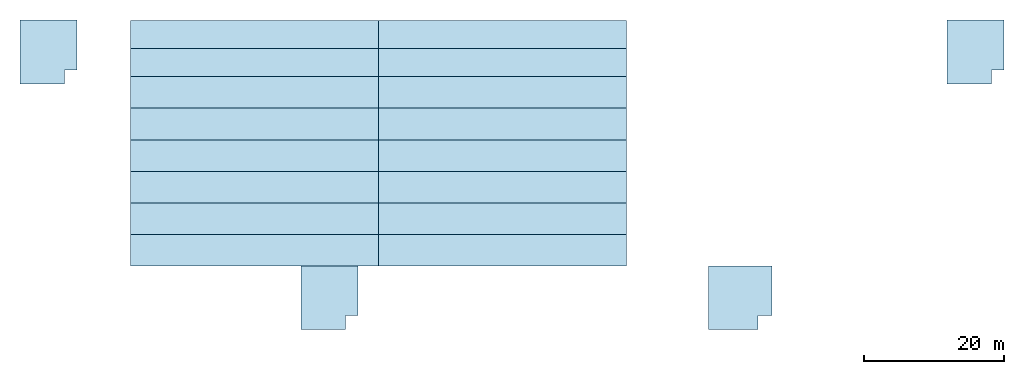
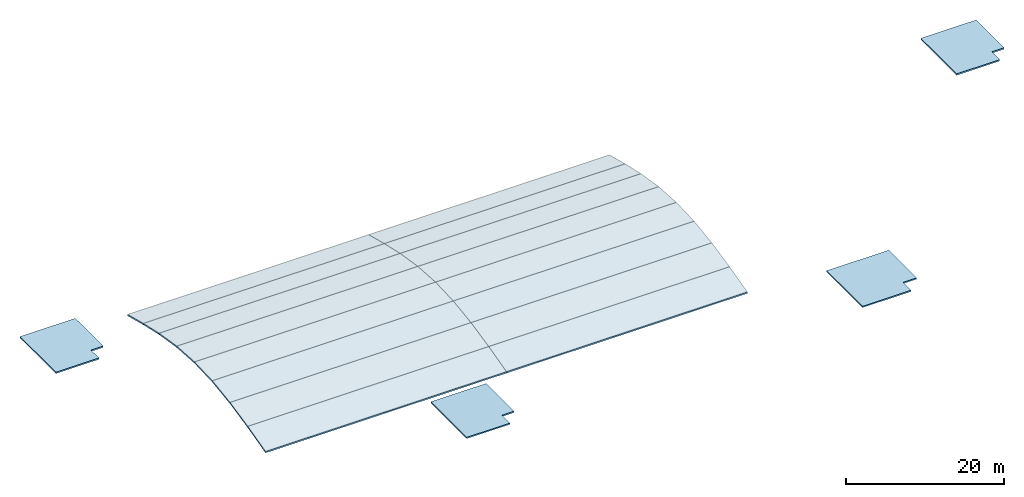
# One storey, part 1 of 2: 18 roofs, 2 slabs.
"""IFC4 building model written with IfcOpenShell, lengths in metres."""

from ifc_helpers import new_model, si_unit, derived_unit, direction, frame, origin, place, context, subcontext, project, spatial, polyline, outline, extrude, polygons, material, layer, layer_set, type_object, element, save


model = new_model("IFC4")

# Units and contexts
model_context = context("Model", 3, precision=1e-05, world=origin(), true_north=direction((0.0, 1.0)))
body_context = subcontext(model_context, "Body", "Model", "MODEL_VIEW")
ifc_project = project(units=[si_unit("LENGTHUNIT", "METRE"), si_unit("AREAUNIT", "SQUARE_METRE"), si_unit("VOLUMEUNIT", "CUBIC_METRE"), si_unit("PLANEANGLEUNIT", "RADIAN"), si_unit("MASSUNIT", "GRAM", prefix="KILO"), si_unit("THERMODYNAMICTEMPERATUREUNIT", "KELVIN"), derived_unit("THERMALTRANSMITTANCEUNIT", [(si_unit("POWERUNIT", "WATT"), 1), (si_unit("AREAUNIT", "SQUARE_METRE"), -1), (si_unit("THERMODYNAMICTEMPERATUREUNIT", "KELVIN"), -1)])], contexts=[model_context])

# Site, building, storey
site_placement = place(None, origin())
site = spatial("IfcSite", under=ifc_project, at=site_placement, CompositionType="ELEMENT")
building_placement = place(site_placement, origin())
building = spatial("IfcBuilding", under=site, at=building_placement, Name="Haiyu Intermodal Mobility Hub", CompositionType="ELEMENT")
storey_placement = place(building_placement, frame((0.0, 0.0, 30.5)))
storey = spatial("IfcBuildingStorey", under=building, at=storey_placement, Name="RF", CompositionType="ELEMENT", Elevation=30.5)

# Slabs
ifc_material_1 = material(Name="Concrete C40", Category="concrete")
ifc_layer_1 = layer(ifc_material_1, 0.179931640625)
ifc_layer_set_1 = layer_set([ifc_layer_1], Name="Concrete C40")
slab_type = type_object("IfcSlabType", Name="SLB-SL12", PredefinedType="ROOF", material=ifc_layer_set_1)
slab_1_placement = place(storey_placement, frame((0.0, 0.0, -0.219970703125)))
element("IfcSlab", 1, at=slab_1_placement, inside=storey, type_object=slab_type, Name="Core C3 Skylight Headhouse Cap", PredefinedType="ROOF", context=body_context, shape_type="SweptSolid", body=[
    extrude(outline(polyline([(21.949951171875, 138.949951171875), (28.26806640625, 138.949951171875), (28.26806640625, 140.951904296875), (30.050048828125, 140.951904296875), (30.050048828125, 148.050048828125), (21.949951171875, 148.050048828125), (21.949951171875, 138.949951171875)])), origin(), (0.0, 0.0, 1.0), 0.219970703125),
])
slab_2_placement = place(storey_placement, frame((0.0, 0.0, -0.219970703125)))
element("IfcSlab", 2, at=slab_2_placement, inside=storey, type_object=slab_type, Name="Core C4 Skylight Headhouse Cap", PredefinedType="ROOF", context=body_context, shape_type="SweptSolid", body=[
    extrude(outline(polyline([(153.949951171875, 138.949951171875), (160.26806640625, 138.949951171875), (160.26806640625, 140.951904296875), (162.050048828125, 140.951904296875), (162.050048828125, 148.050048828125), (153.949951171875, 148.050048828125), (153.949951171875, 138.949951171875)])), origin(), (0.0, 0.0, 1.0), 0.219970703125),
])

# Roofs
ifc_material_2 = material(Name="Steel Q355C", Category="steel")
ifc_layer_2 = layer(ifc_material_2, 0.239990234375)
ifc_layer_set_2 = layer_set([ifc_layer_2], Name="Steel Q355C")
roof_type_1 = type_object("IfcRoofType", Name="ROF-RF02", PredefinedType="PAVILION_ROOF", material=ifc_layer_set_2)
roof_1_placement = place(storey_placement, frame((0.0, 0.0, -3.080078125)))
element("IfcRoof", 3, at=roof_1_placement, inside=storey, type_object=roof_type_1, Name="Core C5 Skylight Headhouse Roof", PredefinedType="PAVILION_ROOF", context=body_context, shape_type="SweptSolid", body=[
    extrude(outline(polyline([(61.949951171875, 103.949951171875), (68.26806640625, 103.949951171875), (68.26806640625, 105.951904296875), (70.050048828125, 105.951904296875), (70.050048828125, 113.050048828125), (61.949951171875, 113.050048828125), (61.949951171875, 103.949951171875)])), origin(), (0.0, 0.0, 1.0), 0.2001953125),
])
roof_2_placement = place(storey_placement, frame((0.0, 0.0, -3.080078125)))
element("IfcRoof", 4, at=roof_2_placement, inside=storey, type_object=roof_type_1, Name="Core C6 Skylight Headhouse Roof", PredefinedType="PAVILION_ROOF", context=body_context, shape_type="SweptSolid", body=[
    extrude(outline(polyline([(119.949951171875, 103.949951171875), (127.048095703125, 103.949951171875), (127.048095703125, 105.951904296875), (129.050048828125, 105.951904296875), (129.050048828125, 113.050048828125), (119.949951171875, 113.050048828125), (119.949951171875, 103.949951171875)])), origin(), (0.0, 0.0, 1.0), 0.2001953125),
])
ifc_layer_3 = layer(ifc_material_2, 0.260009765625)
ifc_layer_set_3 = layer_set([ifc_layer_3], Name="Steel Q355C")
roof_type_2 = type_object("IfcRoofType", Name="ROF-RF03", PredefinedType="SHED_ROOF", material=ifc_layer_set_3)
roof_3_placement = place(storey_placement, origin())
element("IfcRoof", 5, at=roof_3_placement, inside=storey, type_object=roof_type_2, Name="Sports Pavilion Barrel-Vault Roof Strip 01", PredefinedType="SHED_ROOF", context=body_context, shape_type="Tessellation", body=[
    polygons([(37.699951171875, 113.0, -2.2900390625), (73.0, 113.0, -2.2900390625), (73.0, 117.5, -1.131103515625), (37.699951171875, 117.5, -1.131103515625), (37.699951171875, 113.0, -2.070068359375), (73.0, 113.0, -2.070068359375), (73.0, 117.5, -0.910888671875), (37.699951171875, 117.5, -0.910888671875)], [[[4, 3, 2, 1]], [[5, 6, 7, 8]], [[1, 2, 6, 5]], [[2, 3, 7, 6]], [[3, 4, 8, 7]], [[4, 1, 5, 8]]], closed=True),
])
roof_4_placement = place(storey_placement, origin())
element("IfcRoof", 6, at=roof_4_placement, inside=storey, type_object=roof_type_2, Name="Sports Pavilion Barrel-Vault Roof Strip 02", PredefinedType="SHED_ROOF", context=body_context, shape_type="Tessellation", body=[
    polygons([(37.699951171875, 117.5, -1.131103515625), (73.0, 117.5, -1.131103515625), (73.0, 122.0, -0.157958984375), (37.699951171875, 122.0, -0.157958984375), (37.699951171875, 117.5, -0.910888671875), (73.0, 117.5, -0.910888671875), (73.0, 122.0, 0.06201171875), (37.699951171875, 122.0, 0.06201171875)], [[[4, 3, 2, 1]], [[5, 6, 7, 8]], [[1, 2, 6, 5]], [[2, 3, 7, 6]], [[3, 4, 8, 7]], [[4, 1, 5, 8]]], closed=True),
])
roof_5_placement = place(storey_placement, origin())
element("IfcRoof", 7, at=roof_5_placement, inside=storey, type_object=roof_type_2, Name="Sports Pavilion Barrel-Vault Roof Strip 03", PredefinedType="SHED_ROOF", context=body_context, shape_type="Tessellation", body=[
    polygons([(37.699951171875, 122.0, -0.157958984375), (73.0, 122.0, -0.157958984375), (73.0, 126.5, 0.471923828125), (37.699951171875, 126.5, 0.471923828125), (37.699951171875, 122.0, 0.06201171875), (73.0, 122.0, 0.06201171875), (73.0, 126.5, 0.69189453125), (37.699951171875, 126.5, 0.69189453125)], [[[4, 3, 2, 1]], [[5, 6, 7, 8]], [[1, 2, 6, 5]], [[2, 3, 7, 6]], [[3, 4, 8, 7]], [[4, 1, 5, 8]]], closed=True),
])
roof_6_placement = place(storey_placement, origin())
element("IfcRoof", 8, at=roof_6_placement, inside=storey, type_object=roof_type_2, Name="Sports Pavilion Barrel-Vault Roof Strip 04", PredefinedType="SHED_ROOF", context=body_context, shape_type="Tessellation", body=[
    polygons([(37.699951171875, 126.5, 0.471923828125), (73.0, 126.5, 0.471923828125), (73.0, 131.0, 0.656982421875), (37.699951171875, 131.0, 0.656982421875), (37.699951171875, 126.5, 0.69189453125), (73.0, 126.5, 0.69189453125), (73.0, 131.0, 0.876953125), (37.699951171875, 131.0, 0.876953125)], [[[4, 3, 2, 1]], [[5, 6, 7, 8]], [[1, 2, 6, 5]], [[2, 3, 7, 6]], [[3, 4, 8, 7]], [[4, 1, 5, 8]]], closed=True),
])
roof_7_placement = place(storey_placement, origin())
element("IfcRoof", 9, at=roof_7_placement, inside=storey, type_object=roof_type_2, Name="Sports Pavilion Barrel-Vault Roof Strip 05", PredefinedType="SHED_ROOF", context=body_context, shape_type="Tessellation", body=[
    polygons([(37.699951171875, 131.0, 0.656982421875), (73.0, 131.0, 0.656982421875), (73.0, 135.5, 0.367919921875), (37.699951171875, 135.5, 0.367919921875), (37.699951171875, 131.0, 0.876953125), (73.0, 131.0, 0.876953125), (73.0, 135.5, 0.587890625), (37.699951171875, 135.5, 0.587890625)], [[[4, 3, 2, 1]], [[5, 6, 7, 8]], [[1, 2, 6, 5]], [[2, 3, 7, 6]], [[3, 4, 8, 7]], [[4, 1, 5, 8]]], closed=True),
])
roof_8_placement = place(storey_placement, origin())
element("IfcRoof", 10, at=roof_8_placement, inside=storey, type_object=roof_type_2, Name="Sports Pavilion Barrel-Vault Roof Strip 06", PredefinedType="SHED_ROOF", context=body_context, shape_type="Tessellation", body=[
    polygons([(37.699951171875, 135.5, 0.367919921875), (73.0, 135.5, 0.367919921875), (73.0, 140.0, -0.34912109375), (37.699951171875, 140.0, -0.34912109375), (37.699951171875, 135.5, 0.587890625), (73.0, 135.5, 0.587890625), (73.0, 140.0, -0.12890625), (37.699951171875, 140.0, -0.12890625)], [[[4, 3, 2, 1]], [[5, 6, 7, 8]], [[1, 2, 6, 5]], [[2, 3, 7, 6]], [[3, 4, 8, 7]], [[4, 1, 5, 8]]], closed=True),
])
roof_9_placement = place(storey_placement, origin())
element("IfcRoof", 11, at=roof_9_placement, inside=storey, type_object=roof_type_2, Name="Sports Pavilion Barrel-Vault Roof Strip 07", PredefinedType="SHED_ROOF", context=body_context, shape_type="Tessellation", body=[
    polygons([(37.699951171875, 140.0, -0.34912109375), (73.0, 140.0, -0.34912109375), (73.0, 144.0, -1.2529296875), (37.699951171875, 144.0, -1.2529296875), (37.699951171875, 140.0, -0.12890625), (73.0, 140.0, -0.12890625), (73.0, 144.0, -1.032958984375), (37.699951171875, 144.0, -1.032958984375)], [[[4, 3, 2, 1]], [[5, 6, 7, 8]], [[1, 2, 6, 5]], [[2, 3, 7, 6]], [[3, 4, 8, 7]], [[4, 1, 5, 8]]], closed=True),
])
roof_10_placement = place(storey_placement, origin())
element("IfcRoof", 12, at=roof_10_placement, inside=storey, type_object=roof_type_2, Name="Sports Pavilion Barrel-Vault Roof Strip 08", PredefinedType="SHED_ROOF", context=body_context, shape_type="Tessellation", body=[
    polygons([(37.699951171875, 144.0, -1.2529296875), (73.0, 144.0, -1.2529296875), (73.0, 148.0, -2.2900390625), (37.699951171875, 148.0, -2.2900390625), (37.699951171875, 144.0, -1.032958984375), (73.0, 144.0, -1.032958984375), (73.0, 148.0, -2.070068359375), (37.699951171875, 148.0, -2.070068359375)], [[[4, 3, 2, 1]], [[5, 6, 7, 8]], [[1, 2, 6, 5]], [[2, 3, 7, 6]], [[3, 4, 8, 7]], [[4, 1, 5, 8]]], closed=True),
])
roof_11_placement = place(storey_placement, origin())
element("IfcRoof", 13, at=roof_11_placement, inside=storey, type_object=roof_type_2, Name="Sports Pavilion Barrel-Vault Roof Strip 09", PredefinedType="SHED_ROOF", context=body_context, shape_type="Tessellation", body=[
    polygons([(73.0, 113.0, -2.2900390625), (108.300048828125, 113.0, -2.2900390625), (108.300048828125, 117.5, -1.131103515625), (73.0, 117.5, -1.131103515625), (73.0, 113.0, -2.070068359375), (108.300048828125, 113.0, -2.070068359375), (108.300048828125, 117.5, -0.910888671875), (73.0, 117.5, -0.910888671875)], [[[4, 3, 2, 1]], [[5, 6, 7, 8]], [[1, 2, 6, 5]], [[2, 3, 7, 6]], [[3, 4, 8, 7]], [[4, 1, 5, 8]]], closed=True),
])
roof_12_placement = place(storey_placement, origin())
element("IfcRoof", 14, at=roof_12_placement, inside=storey, type_object=roof_type_2, Name="Sports Pavilion Barrel-Vault Roof Strip 10", PredefinedType="SHED_ROOF", context=body_context, shape_type="Tessellation", body=[
    polygons([(73.0, 117.5, -1.131103515625), (108.300048828125, 117.5, -1.131103515625), (108.300048828125, 122.0, -0.157958984375), (73.0, 122.0, -0.157958984375), (73.0, 117.5, -0.910888671875), (108.300048828125, 117.5, -0.910888671875), (108.300048828125, 122.0, 0.06201171875), (73.0, 122.0, 0.06201171875)], [[[4, 3, 2, 1]], [[5, 6, 7, 8]], [[1, 2, 6, 5]], [[2, 3, 7, 6]], [[3, 4, 8, 7]], [[4, 1, 5, 8]]], closed=True),
])
roof_13_placement = place(storey_placement, origin())
element("IfcRoof", 15, at=roof_13_placement, inside=storey, type_object=roof_type_2, Name="Sports Pavilion Barrel-Vault Roof Strip 11", PredefinedType="SHED_ROOF", context=body_context, shape_type="Tessellation", body=[
    polygons([(73.0, 122.0, -0.157958984375), (108.300048828125, 122.0, -0.157958984375), (108.300048828125, 126.5, 0.471923828125), (73.0, 126.5, 0.471923828125), (73.0, 122.0, 0.06201171875), (108.300048828125, 122.0, 0.06201171875), (108.300048828125, 126.5, 0.69189453125), (73.0, 126.5, 0.69189453125)], [[[4, 3, 2, 1]], [[5, 6, 7, 8]], [[1, 2, 6, 5]], [[2, 3, 7, 6]], [[3, 4, 8, 7]], [[4, 1, 5, 8]]], closed=True),
])
roof_14_placement = place(storey_placement, origin())
element("IfcRoof", 16, at=roof_14_placement, inside=storey, type_object=roof_type_2, Name="Sports Pavilion Barrel-Vault Roof Strip 12", PredefinedType="SHED_ROOF", context=body_context, shape_type="Tessellation", body=[
    polygons([(73.0, 126.5, 0.471923828125), (108.300048828125, 126.5, 0.471923828125), (108.300048828125, 131.0, 0.656982421875), (73.0, 131.0, 0.656982421875), (73.0, 126.5, 0.69189453125), (108.300048828125, 126.5, 0.69189453125), (108.300048828125, 131.0, 0.876953125), (73.0, 131.0, 0.876953125)], [[[4, 3, 2, 1]], [[5, 6, 7, 8]], [[1, 2, 6, 5]], [[2, 3, 7, 6]], [[3, 4, 8, 7]], [[4, 1, 5, 8]]], closed=True),
])
roof_15_placement = place(storey_placement, origin())
element("IfcRoof", 17, at=roof_15_placement, inside=storey, type_object=roof_type_2, Name="Sports Pavilion Barrel-Vault Roof Strip 13", PredefinedType="SHED_ROOF", context=body_context, shape_type="Tessellation", body=[
    polygons([(73.0, 131.0, 0.656982421875), (108.300048828125, 131.0, 0.656982421875), (108.300048828125, 135.5, 0.367919921875), (73.0, 135.5, 0.367919921875), (73.0, 131.0, 0.876953125), (108.300048828125, 131.0, 0.876953125), (108.300048828125, 135.5, 0.587890625), (73.0, 135.5, 0.587890625)], [[[4, 3, 2, 1]], [[5, 6, 7, 8]], [[1, 2, 6, 5]], [[2, 3, 7, 6]], [[3, 4, 8, 7]], [[4, 1, 5, 8]]], closed=True),
])
roof_16_placement = place(storey_placement, origin())
element("IfcRoof", 18, at=roof_16_placement, inside=storey, type_object=roof_type_2, Name="Sports Pavilion Barrel-Vault Roof Strip 14", PredefinedType="SHED_ROOF", context=body_context, shape_type="Tessellation", body=[
    polygons([(73.0, 135.5, 0.367919921875), (108.300048828125, 135.5, 0.367919921875), (108.300048828125, 140.0, -0.34912109375), (73.0, 140.0, -0.34912109375), (73.0, 135.5, 0.587890625), (108.300048828125, 135.5, 0.587890625), (108.300048828125, 140.0, -0.12890625), (73.0, 140.0, -0.12890625)], [[[4, 3, 2, 1]], [[5, 6, 7, 8]], [[1, 2, 6, 5]], [[2, 3, 7, 6]], [[3, 4, 8, 7]], [[4, 1, 5, 8]]], closed=True),
])
roof_17_placement = place(storey_placement, origin())
element("IfcRoof", 19, at=roof_17_placement, inside=storey, type_object=roof_type_2, Name="Sports Pavilion Barrel-Vault Roof Strip 15", PredefinedType="SHED_ROOF", context=body_context, shape_type="Tessellation", body=[
    polygons([(73.0, 140.0, -0.34912109375), (108.300048828125, 140.0, -0.34912109375), (108.300048828125, 144.0, -1.2529296875), (73.0, 144.0, -1.2529296875), (73.0, 140.0, -0.12890625), (108.300048828125, 140.0, -0.12890625), (108.300048828125, 144.0, -1.032958984375), (73.0, 144.0, -1.032958984375)], [[[4, 3, 2, 1]], [[5, 6, 7, 8]], [[1, 2, 6, 5]], [[2, 3, 7, 6]], [[3, 4, 8, 7]], [[4, 1, 5, 8]]], closed=True),
])
roof_18_placement = place(storey_placement, origin())
element("IfcRoof", 20, at=roof_18_placement, inside=storey, type_object=roof_type_2, Name="Sports Pavilion Barrel-Vault Roof Strip 16", PredefinedType="SHED_ROOF", context=body_context, shape_type="Tessellation", body=[
    polygons([(73.0, 144.0, -1.2529296875), (108.300048828125, 144.0, -1.2529296875), (108.300048828125, 148.0, -2.2900390625), (73.0, 148.0, -2.2900390625), (73.0, 144.0, -1.032958984375), (108.300048828125, 144.0, -1.032958984375), (108.300048828125, 148.0, -2.070068359375), (73.0, 148.0, -2.070068359375)], [[[4, 3, 2, 1]], [[5, 6, 7, 8]], [[1, 2, 6, 5]], [[2, 3, 7, 6]], [[3, 4, 8, 7]], [[4, 1, 5, 8]]], closed=True),
])

save(model, "model.ifc")
